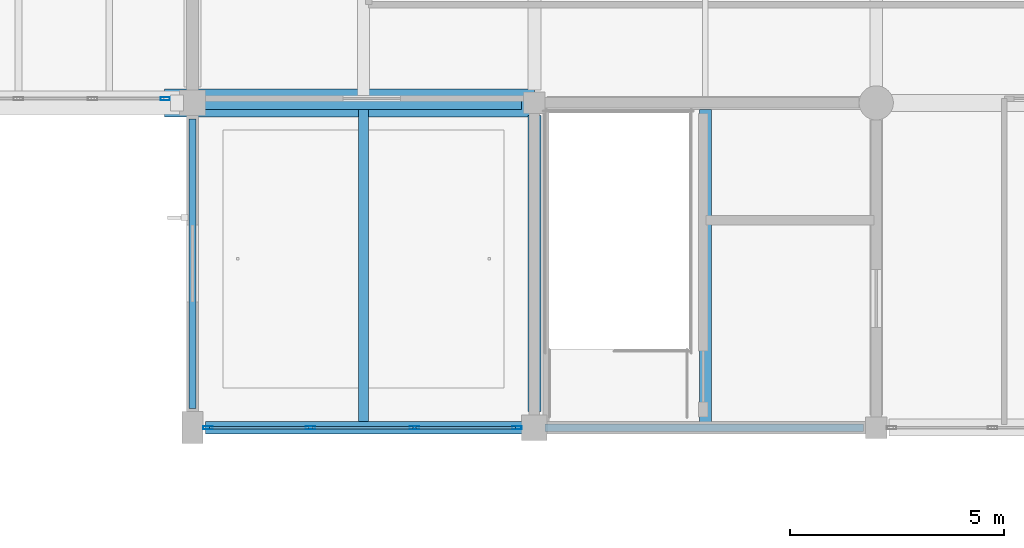
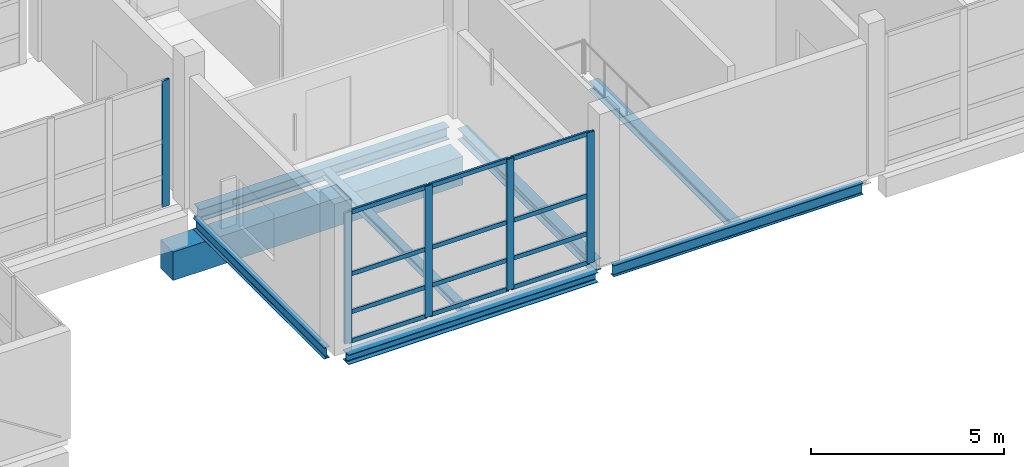
# One storey, part 25 of 141: 17 members, 8 beams, 2 elements without a shape of their own.
"""IFC4 building model written with IfcOpenShell, lengths in metres."""

from ifc_helpers import new_model, si_unit, direction, frame, origin, origin_2d, place, context, subcontext, project, spatial, rectangle, hollow_rectangle, i_section, extrude, material, material_profile, profile_set, type_object, element, aggregate, save


model = new_model("IFC4")

# Units and contexts
model_context = context("Model", 3, precision=1e-05, world=origin(), true_north=direction((0.0, 1.0)))
body_context = subcontext(model_context, "Body", "Model", "MODEL_VIEW")
ifc_project = project(units=[si_unit("LENGTHUNIT", "METRE"), si_unit("AREAUNIT", "SQUARE_METRE"), si_unit("VOLUMEUNIT", "CUBIC_METRE"), si_unit("PLANEANGLEUNIT", "RADIAN"), si_unit("MASSUNIT", "GRAM", prefix="KILO")], contexts=[model_context])

# Site, building, storey
site_placement = place(None, origin())
site = spatial("IfcSite", under=ifc_project, at=site_placement, CompositionType="ELEMENT")
building_placement = place(site_placement, origin())
building = spatial("IfcBuilding", under=site, at=building_placement, Name="Khelvaren Railside Concert Hall", CompositionType="ELEMENT")
storey_placement = place(building_placement, frame((0.0, 0.0, 10.199951171875)))
storey = spatial("IfcBuildingStorey", under=building, at=storey_placement, Name="L02", CompositionType="ELEMENT", Elevation=10.199951171875)

# Beams
ifc_material_1 = material(Name="Concrete C40/50", Category="concrete")
ifc_material_profile_1 = material_profile(ifc_material_1, rectangle(XDim=0.64990234375, YDim=0.89990234375, at=origin_2d()), Name="RCB 650x900")
ifc_profile_set_1 = profile_set([ifc_material_profile_1], Name="Concrete C40/50")
beam_type_1 = type_object("IfcBeamType", Name="BM18", PredefinedType="BEAM", material=ifc_profile_set_1)
beam_1_placement = place(storey_placement, frame((63.35009765625, 7.60009765625, -1.659912109375), z_axis=(1.0, 0.0, 0.0), x_axis=(0.0, 1.0, 0.0)))
element("IfcBeam", 1, at=beam_1_placement, inside=storey, type_object=beam_type_1, Name="West Promenade Link Bridge L02 Seismic Corbel Seat 1", PredefinedType="BEAM", context=body_context, shape_type="SweptSolid", body=[
    extrude(rectangle(XDim=0.64990234375, YDim=0.89990234375, at=origin_2d()), origin(), (0.0, 0.0, 1.0), 8.64990234375),
])
ifc_material_2 = material(Name="Steel S355", Category="steel")
ifc_material_profile_2 = material_profile(ifc_material_2, i_section(OverallWidth=0.300048828125, OverallDepth=0.389892578125, WebThickness=0.010986328125, FlangeThickness=0.01904296875, FilletRadius=0.027099609375, at=origin_2d()), Name="HEA 400")
ifc_profile_set_2 = profile_set([ifc_material_profile_2], Name="Steel S355")
beam_type_2 = type_object("IfcBeamType", Name="BM23", PredefinedType="BEAM", material=ifc_profile_set_2)
beam_2_placement = place(storey_placement, frame((64.25, 7.60009765625, -0.48486328125), z_axis=(1.0, 0.0, 0.0), x_axis=(0.0, 1.0, 0.0)))
element("IfcBeam", 2, at=beam_2_placement, inside=storey, type_object=beam_type_2, Name="V3 L02 Beam X2.1", PredefinedType="BEAM", context=body_context, shape_type="SweptSolid", body=[
    extrude(i_section(OverallWidth=0.300048828125, OverallDepth=0.389892578125, WebThickness=0.010986328125, FlangeThickness=0.01904296875, FilletRadius=0.027099609375, at=origin_2d()), origin(), (0.0, 0.0, 1.0), 7.449951171875),
])
ifc_material_profile_3 = material_profile(ifc_material_2, i_section(OverallWidth=0.300048828125, OverallDepth=0.35009765625, WebThickness=0.010009765625, FlangeThickness=0.017578125, FilletRadius=0.027099609375, at=origin_2d()), Name="HEA 360")
ifc_profile_set_3 = profile_set([ifc_material_profile_3], Name="Steel S355")
beam_type_3 = type_object("IfcBeamType", Name="BM73", PredefinedType="BEAM", material=ifc_profile_set_3)
beam_3_placement = place(storey_placement, frame((72.0, 0.375, -0.46484375), z_axis=(0.0, 1.0, 0.0), x_axis=(-1.0, 0.0, 0.0)))
element("IfcBeam", 3, at=beam_3_placement, inside=storey, type_object=beam_type_3, Name="V3 L02 Beam Y2.1", PredefinedType="BEAM", context=body_context, shape_type="SweptSolid", body=[
    extrude(i_section(OverallWidth=0.300048828125, OverallDepth=0.35009765625, WebThickness=0.010009765625, FlangeThickness=0.017578125, FilletRadius=0.027099609375, at=origin_2d()), origin(), (0.0, 0.0, 1.0), 6.925048828125),
])

# Curtain wall, members
ifc_material_3 = material(Name="Double-glazed clear foyer glass", Category="glass")
curtain_wall_type_1 = type_object("IfcCurtainWallType", Name="CW83", PredefinedType="USERDEFINED", material=ifc_material_3)
curtain_wall_1_placement = place(storey_placement, origin())
curtain_wall_1 = element("IfcCurtainWall", 4, at=curtain_wall_1_placement, inside=storey, type_object=curtain_wall_type_1, Name="Unitised Curtain Wall CW-V3-L02-S-64", ObjectType="UNITISED CURTAIN WALL", PredefinedType="USERDEFINED")
ifc_material_4 = material(Name="Anodised architectural aluminium 6063-T6", Category="aluminium")
ifc_material_profile_4 = material_profile(ifc_material_4, hollow_rectangle(XDim=0.074951171875, YDim=0.219970703125, WallThickness=0.0048828125, InnerFilletRadius=0.0029296875, OuterFilletRadius=0.0048828125, at=origin_2d()), Name="CWM 75x220x5")
ifc_profile_set_4 = profile_set([ifc_material_profile_4], Name="Anodised architectural aluminium 6063-T6")
member_type_1 = type_object("IfcMemberType", Name="CWM13", PredefinedType="MULLION", material=ifc_profile_set_4)
member_1_placement = place(storey_placement, frame((71.590087890625, 0.0, 0.0), z_axis=(0.0, 0.0, 1.0), x_axis=(0.0, -1.0, 0.0)))
member_1 = element("IfcMember", 5, at=member_1_placement, type_object=member_type_1, Name="CW83 mullion 1", PredefinedType="MULLION", context=body_context, shape_type="SweptSolid", body=[
    extrude(hollow_rectangle(XDim=0.074951171875, YDim=0.219970703125, WallThickness=0.0048828125, InnerFilletRadius=0.0029296875, OuterFilletRadius=0.0048828125, at=origin_2d()), origin(), (0.0, 0.0, 1.0), 4.130126953125),
])
member_2_placement = place(storey_placement, frame((69.1923828125, 0.0, 0.0), z_axis=(0.0, 0.0, 1.0), x_axis=(0.0, -1.0, 0.0)))
member_2 = element("IfcMember", 6, at=member_2_placement, type_object=member_type_1, Name="CW83 mullion 2", PredefinedType="MULLION", context=body_context, shape_type="SweptSolid", body=[
    extrude(hollow_rectangle(XDim=0.074951171875, YDim=0.219970703125, WallThickness=0.0048828125, InnerFilletRadius=0.0029296875, OuterFilletRadius=0.0048828125, at=origin_2d()), origin(), (0.0, 0.0, 1.0), 4.130126953125),
])
member_3_placement = place(storey_placement, frame((66.757568359375, 0.0, 0.0), z_axis=(0.0, 0.0, 1.0), x_axis=(0.0, -1.0, 0.0)))
member_3 = element("IfcMember", 7, at=member_3_placement, type_object=member_type_1, Name="CW83 mullion 3", PredefinedType="MULLION", context=body_context, shape_type="SweptSolid", body=[
    extrude(hollow_rectangle(XDim=0.074951171875, YDim=0.219970703125, WallThickness=0.0048828125, InnerFilletRadius=0.0029296875, OuterFilletRadius=0.0048828125, at=origin_2d()), origin(), (0.0, 0.0, 1.0), 4.130126953125),
])
member_4_placement = place(storey_placement, frame((64.360107421875, 0.0, 0.0), z_axis=(0.0, 0.0, 1.0), x_axis=(0.0, -1.0, 0.0)))
member_4 = element("IfcMember", 8, at=member_4_placement, type_object=member_type_1, Name="CW83 mullion 4", PredefinedType="MULLION", context=body_context, shape_type="SweptSolid", body=[
    extrude(hollow_rectangle(XDim=0.074951171875, YDim=0.219970703125, WallThickness=0.0048828125, InnerFilletRadius=0.0029296875, OuterFilletRadius=0.0048828125, at=origin_2d()), origin(), (0.0, 0.0, 1.0), 4.130126953125),
])

# Curtain wall, member
curtain_wall_type_2 = type_object("IfcCurtainWallType", Name="CW47", PredefinedType="USERDEFINED", material=ifc_material_3)
curtain_wall_2_placement = place(storey_placement, origin())
curtain_wall_2 = element("IfcCurtainWall", 9, at=curtain_wall_2_placement, inside=storey, type_object=curtain_wall_type_2, Name="Unitised Curtain Wall CW-LB1-L02-S", ObjectType="UNITISED CURTAIN WALL", PredefinedType="USERDEFINED")
member_5_placement = place(storey_placement, frame((63.362548828125, 7.699951171875, 0.0), z_axis=(0.0, 0.0, 1.0), x_axis=(0.0, -1.0, 0.0)))
member_5 = element("IfcMember", 10, at=member_5_placement, type_object=member_type_1, Name="CW47 mullion 1", PredefinedType="MULLION", context=body_context, shape_type="SweptSolid", body=[
    extrude(hollow_rectangle(XDim=0.074951171875, YDim=0.219970703125, WallThickness=0.0048828125, InnerFilletRadius=0.0029296875, OuterFilletRadius=0.0048828125, at=origin_2d()), origin(), (0.0, 0.0, 1.0), 3.97998046875),
])
aggregate(curtain_wall_2, [member_5])

# Member
ifc_material_profile_5 = material_profile(ifc_material_4, hollow_rectangle(XDim=0.06494140625, YDim=0.139892578125, WallThickness=0.00390625, InnerFilletRadius=0.001953125, OuterFilletRadius=0.00390625, at=origin_2d()), Name="CWT 65x140x4")
ifc_profile_set_5 = profile_set([ifc_material_profile_5], Name="Anodised architectural aluminium 6063-T6")
member_type_2 = type_object("IfcMemberType", Name="CWT72", PredefinedType="USERDEFINED", material=ifc_profile_set_5)
member_6_placement = place(storey_placement, frame((71.552490234375, 0.0, 0.032470703125), z_axis=(-1.0, 0.0, 0.0), x_axis=(0.0, -1.0, 0.0)))
member_6 = element("IfcMember", 11, at=member_6_placement, type_object=member_type_2, Name="CW83 transom 1.1", ObjectType="TRANSOM", PredefinedType="USERDEFINED", context=body_context, shape_type="SweptSolid", body=[
    extrude(hollow_rectangle(XDim=0.06494140625, YDim=0.139892578125, WallThickness=0.00390625, InnerFilletRadius=0.001953125, OuterFilletRadius=0.00390625, at=origin_2d()), origin(), (0.0, 0.0, 1.0), 2.322509765625),
])

member_7_placement = place(storey_placement, frame((71.552490234375, 0.0, 0.949951171875), z_axis=(-1.0, 0.0, 0.0), x_axis=(0.0, -1.0, 0.0)))
member_7 = element("IfcMember", 12, at=member_7_placement, type_object=member_type_2, Name="CW83 transom 1.2", ObjectType="TRANSOM", PredefinedType="USERDEFINED", context=body_context, shape_type="SweptSolid", body=[
    extrude(hollow_rectangle(XDim=0.06494140625, YDim=0.139892578125, WallThickness=0.00390625, InnerFilletRadius=0.001953125, OuterFilletRadius=0.00390625, at=origin_2d()), origin(), (0.0, 0.0, 1.0), 2.322509765625),
])

member_8_placement = place(storey_placement, frame((71.552490234375, 0.0, 2.147705078125), z_axis=(-1.0, 0.0, 0.0), x_axis=(0.0, -1.0, 0.0)))
member_8 = element("IfcMember", 13, at=member_8_placement, type_object=member_type_2, Name="CW83 transom 1.3", ObjectType="TRANSOM", PredefinedType="USERDEFINED", context=body_context, shape_type="SweptSolid", body=[
    extrude(hollow_rectangle(XDim=0.06494140625, YDim=0.139892578125, WallThickness=0.00390625, InnerFilletRadius=0.001953125, OuterFilletRadius=0.00390625, at=origin_2d()), origin(), (0.0, 0.0, 1.0), 2.322509765625),
])

member_9_placement = place(storey_placement, frame((71.552490234375, 0.0, 4.09765625), z_axis=(-1.0, 0.0, 0.0), x_axis=(0.0, -1.0, 0.0)))
member_9 = element("IfcMember", 14, at=member_9_placement, type_object=member_type_2, Name="CW83 transom 1.4", ObjectType="TRANSOM", PredefinedType="USERDEFINED", context=body_context, shape_type="SweptSolid", body=[
    extrude(hollow_rectangle(XDim=0.06494140625, YDim=0.139892578125, WallThickness=0.00390625, InnerFilletRadius=0.001953125, OuterFilletRadius=0.00390625, at=origin_2d()), origin(), (0.0, 0.0, 1.0), 2.322509765625),
])

member_10_placement = place(storey_placement, frame((69.155029296875, 0.0, 0.032470703125), z_axis=(-1.0, 0.0, 0.0), x_axis=(0.0, -1.0, 0.0)))
member_10 = element("IfcMember", 15, at=member_10_placement, type_object=member_type_2, Name="CW83 transom 2.1", ObjectType="TRANSOM", PredefinedType="USERDEFINED", context=body_context, shape_type="SweptSolid", body=[
    extrude(hollow_rectangle(XDim=0.06494140625, YDim=0.139892578125, WallThickness=0.00390625, InnerFilletRadius=0.001953125, OuterFilletRadius=0.00390625, at=origin_2d()), origin(), (0.0, 0.0, 1.0), 2.360107421875),
])

member_11_placement = place(storey_placement, frame((69.155029296875, 0.0, 0.949951171875), z_axis=(-1.0, 0.0, 0.0), x_axis=(0.0, -1.0, 0.0)))
member_11 = element("IfcMember", 16, at=member_11_placement, type_object=member_type_2, Name="CW83 transom 2.2", ObjectType="TRANSOM", PredefinedType="USERDEFINED", context=body_context, shape_type="SweptSolid", body=[
    extrude(hollow_rectangle(XDim=0.06494140625, YDim=0.139892578125, WallThickness=0.00390625, InnerFilletRadius=0.001953125, OuterFilletRadius=0.00390625, at=origin_2d()), origin(), (0.0, 0.0, 1.0), 2.360107421875),
])

member_12_placement = place(storey_placement, frame((69.155029296875, 0.0, 2.147705078125), z_axis=(-1.0, 0.0, 0.0), x_axis=(0.0, -1.0, 0.0)))
member_12 = element("IfcMember", 17, at=member_12_placement, type_object=member_type_2, Name="CW83 transom 2.3", ObjectType="TRANSOM", PredefinedType="USERDEFINED", context=body_context, shape_type="SweptSolid", body=[
    extrude(hollow_rectangle(XDim=0.06494140625, YDim=0.139892578125, WallThickness=0.00390625, InnerFilletRadius=0.001953125, OuterFilletRadius=0.00390625, at=origin_2d()), origin(), (0.0, 0.0, 1.0), 2.360107421875),
])

member_13_placement = place(storey_placement, frame((69.155029296875, 0.0, 4.09765625), z_axis=(-1.0, 0.0, 0.0), x_axis=(0.0, -1.0, 0.0)))
member_13 = element("IfcMember", 18, at=member_13_placement, type_object=member_type_2, Name="CW83 transom 2.4", ObjectType="TRANSOM", PredefinedType="USERDEFINED", context=body_context, shape_type="SweptSolid", body=[
    extrude(hollow_rectangle(XDim=0.06494140625, YDim=0.139892578125, WallThickness=0.00390625, InnerFilletRadius=0.001953125, OuterFilletRadius=0.00390625, at=origin_2d()), origin(), (0.0, 0.0, 1.0), 2.360107421875),
])

member_14_placement = place(storey_placement, frame((66.719970703125, 0.0, 0.032470703125), z_axis=(-1.0, 0.0, 0.0), x_axis=(0.0, -1.0, 0.0)))
member_14 = element("IfcMember", 19, at=member_14_placement, type_object=member_type_2, Name="CW83 transom 3.1", ObjectType="TRANSOM", PredefinedType="USERDEFINED", context=body_context, shape_type="SweptSolid", body=[
    extrude(hollow_rectangle(XDim=0.06494140625, YDim=0.139892578125, WallThickness=0.00390625, InnerFilletRadius=0.001953125, OuterFilletRadius=0.00390625, at=origin_2d()), origin(), (0.0, 0.0, 1.0), 2.322509765625),
])

member_15_placement = place(storey_placement, frame((66.719970703125, 0.0, 0.949951171875), z_axis=(-1.0, 0.0, 0.0), x_axis=(0.0, -1.0, 0.0)))
member_15 = element("IfcMember", 20, at=member_15_placement, type_object=member_type_2, Name="CW83 transom 3.2", ObjectType="TRANSOM", PredefinedType="USERDEFINED", context=body_context, shape_type="SweptSolid", body=[
    extrude(hollow_rectangle(XDim=0.06494140625, YDim=0.139892578125, WallThickness=0.00390625, InnerFilletRadius=0.001953125, OuterFilletRadius=0.00390625, at=origin_2d()), origin(), (0.0, 0.0, 1.0), 2.322509765625),
])

member_16_placement = place(storey_placement, frame((66.719970703125, 0.0, 2.147705078125), z_axis=(-1.0, 0.0, 0.0), x_axis=(0.0, -1.0, 0.0)))
member_16 = element("IfcMember", 21, at=member_16_placement, type_object=member_type_2, Name="CW83 transom 3.3", ObjectType="TRANSOM", PredefinedType="USERDEFINED", context=body_context, shape_type="SweptSolid", body=[
    extrude(hollow_rectangle(XDim=0.06494140625, YDim=0.139892578125, WallThickness=0.00390625, InnerFilletRadius=0.001953125, OuterFilletRadius=0.00390625, at=origin_2d()), origin(), (0.0, 0.0, 1.0), 2.322509765625),
])

member_17_placement = place(storey_placement, frame((66.719970703125, 0.0, 4.09765625), z_axis=(-1.0, 0.0, 0.0), x_axis=(0.0, -1.0, 0.0)))
member_17 = element("IfcMember", 22, at=member_17_placement, type_object=member_type_2, Name="CW83 transom 3.4", ObjectType="TRANSOM", PredefinedType="USERDEFINED", context=body_context, shape_type="SweptSolid", body=[
    extrude(hollow_rectangle(XDim=0.06494140625, YDim=0.139892578125, WallThickness=0.00390625, InnerFilletRadius=0.001953125, OuterFilletRadius=0.00390625, at=origin_2d()), origin(), (0.0, 0.0, 1.0), 2.322509765625),
])

aggregate(curtain_wall_1, [member_1, member_2, member_3, member_4, member_6, member_7, member_8, member_9, member_10, member_11, member_12, member_13, member_14, member_15, member_16, member_17])

# Beams
ifc_material_profile_6 = material_profile(ifc_material_2, i_section(OverallWidth=0.280029296875, OverallDepth=0.27001953125, WebThickness=0.008056640625, FlangeThickness=0.012939453125, FilletRadius=0.02392578125, at=origin_2d()), Name="HEA 280")
ifc_profile_set_6 = profile_set([ifc_material_profile_6], Name="Steel S355")
beam_type_4 = type_object("IfcBeamType", Name="JS46", PredefinedType="JOIST", material=ifc_profile_set_6)
beam_4_placement = place(storey_placement, frame((76.0, 0.0849609375, -0.425048828125), z_axis=(0.0, 1.0, 0.0), x_axis=(-1.0, 0.0, 0.0)))
element("IfcBeam", 23, at=beam_4_placement, inside=storey, type_object=beam_type_4, Name="V3 L02 Secondary Joist 2.1", PredefinedType="JOIST", context=body_context, shape_type="SweptSolid", body=[
    extrude(i_section(OverallWidth=0.280029296875, OverallDepth=0.27001953125, WebThickness=0.008056640625, FlangeThickness=0.012939453125, FilletRadius=0.02392578125, at=origin_2d()), origin(), (0.0, 0.0, 1.0), 7.364990234375),
])
ifc_material_profile_7 = material_profile(ifc_material_2, i_section(OverallWidth=0.239990234375, OverallDepth=0.22998046875, WebThickness=0.007568359375, FlangeThickness=0.011962890625, FilletRadius=0.02099609375, at=origin_2d()), Name="HEA 240")
ifc_profile_set_7 = profile_set([ifc_material_profile_7], Name="Steel S355")
beam_type_5 = type_object("IfcBeamType", Name="JS76", PredefinedType="JOIST", material=ifc_profile_set_7)
beam_5_placement = place(storey_placement, frame((68.0, 0.14990234375, -0.405029296875), z_axis=(0.0, 1.0, 0.0), x_axis=(-1.0, 0.0, 0.0)))
element("IfcBeam", 24, at=beam_5_placement, inside=storey, type_object=beam_type_5, Name="V3 L02 Secondary Joist 1.1", PredefinedType="JOIST", context=body_context, shape_type="SweptSolid", body=[
    extrude(i_section(OverallWidth=0.239990234375, OverallDepth=0.22998046875, WebThickness=0.007568359375, FlangeThickness=0.011962890625, FilletRadius=0.02099609375, at=origin_2d()), origin(), (0.0, 0.0, 1.0), 7.300048828125),
])
ifc_material_profile_8 = material_profile(ifc_material_2, i_section(OverallWidth=0.300048828125, OverallDepth=0.31005859375, WebThickness=0.009033203125, FlangeThickness=0.015380859375, FilletRadius=0.027099609375, at=origin_2d()), Name="HEA 320")
ifc_profile_set_8 = profile_set([ifc_material_profile_8], Name="Steel S355")
beam_type_6 = type_object("IfcBeamType", Name="SP66", PredefinedType="SPANDREL", material=ifc_profile_set_8)
beam_6_placement = place(storey_placement, frame((64.300048828125, 0.0, -0.445068359375), z_axis=(1.0, 0.0, 0.0), x_axis=(0.0, 1.0, 0.0)))
element("IfcBeam", 25, at=beam_6_placement, inside=storey, type_object=beam_type_6, Name="V3 L02 Spandrel X1.1", PredefinedType="SPANDREL", context=body_context, shape_type="SweptSolid", body=[
    extrude(i_section(OverallWidth=0.300048828125, OverallDepth=0.31005859375, WebThickness=0.009033203125, FlangeThickness=0.015380859375, FilletRadius=0.027099609375, at=origin_2d()), origin(), (0.0, 0.0, 1.0), 7.449951171875),
])
ifc_material_profile_9 = material_profile(ifc_material_2, i_section(OverallWidth=0.169921875, OverallDepth=0.360107421875, WebThickness=0.008056640625, FlangeThickness=0.0126953125, FilletRadius=0.01806640625, at=origin_2d()), Name="IPE 360")
ifc_profile_set_9 = profile_set([ifc_material_profile_9], Name="Steel S355")
beam_type_7 = type_object("IfcBeamType", Name="SP74", PredefinedType="SPANDREL", material=ifc_profile_set_9)
beam_7_placement = place(storey_placement, frame((72.25, 0.0, -0.469970703125), z_axis=(1.0, 0.0, 0.0), x_axis=(0.0, 1.0, 0.0)))
element("IfcBeam", 26, at=beam_7_placement, inside=storey, type_object=beam_type_7, Name="V3 L02 Spandrel X1.2", PredefinedType="SPANDREL", context=body_context, shape_type="SweptSolid", body=[
    extrude(i_section(OverallWidth=0.169921875, OverallDepth=0.360107421875, WebThickness=0.008056640625, FlangeThickness=0.0126953125, FilletRadius=0.01806640625, at=origin_2d()), origin(), (0.0, 0.0, 1.0), 7.449951171875),
])
beam_8_placement = place(storey_placement, frame((64.0, 0.449951171875, -0.469970703125), z_axis=(0.0, 1.0, 0.0), x_axis=(-1.0, 0.0, 0.0)))
element("IfcBeam", 27, at=beam_8_placement, inside=storey, type_object=beam_type_7, Name="V3 L02 Spandrel Y1.1", PredefinedType="SPANDREL", context=body_context, shape_type="SweptSolid", body=[
    extrude(i_section(OverallWidth=0.169921875, OverallDepth=0.360107421875, WebThickness=0.008056640625, FlangeThickness=0.0126953125, FilletRadius=0.01806640625, at=origin_2d()), origin(), (0.0, 0.0, 1.0), 6.775146484375),
])

save(model, "model.ifc")
